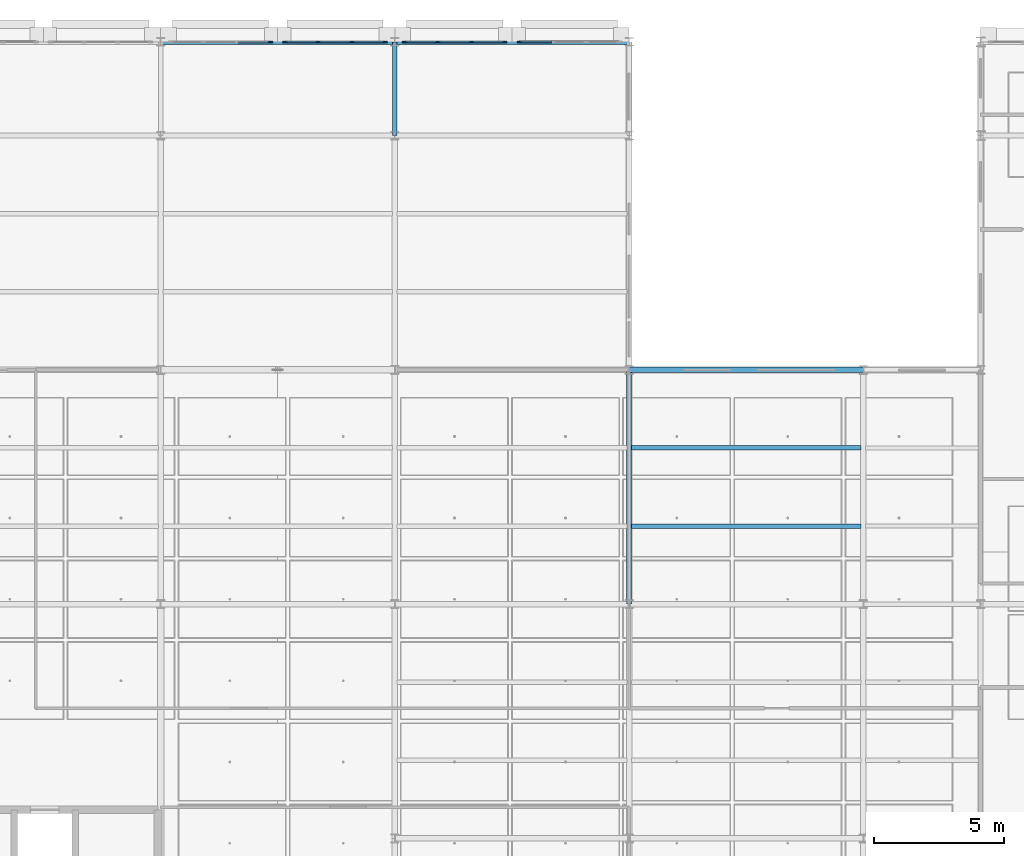
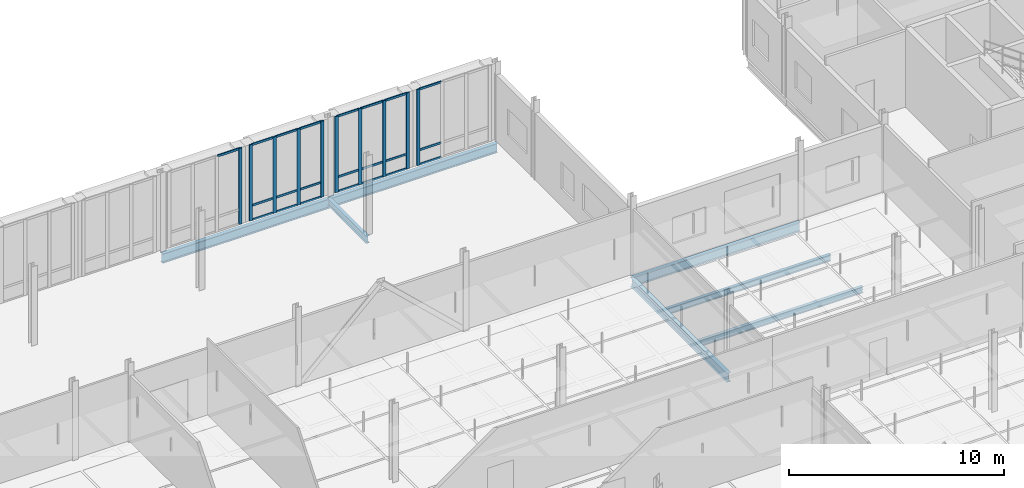
# One storey, part 43 of 130: 32 members, 7 beams, 4 elements without a shape of their own.
"""IFC4 building model written with IfcOpenShell, lengths in metres."""

from ifc_helpers import new_model, si_unit, direction, frame, origin, origin_2d, place, context, subcontext, project, spatial, rectangle, i_section, extrude, material, material_profile, profile_set, type_object, element, aggregate, save


model = new_model("IFC4")

# Units and contexts
model_context = context("Model", 3, precision=1e-05, world=origin(), true_north=direction((0.0, 1.0)))
body_context = subcontext(model_context, "Body", "Model", "MODEL_VIEW")
ifc_project = project(units=[si_unit("LENGTHUNIT", "METRE"), si_unit("AREAUNIT", "SQUARE_METRE"), si_unit("VOLUMEUNIT", "CUBIC_METRE"), si_unit("PLANEANGLEUNIT", "RADIAN"), si_unit("MASSUNIT", "GRAM", prefix="KILO"), si_unit("THERMODYNAMICTEMPERATUREUNIT", "KELVIN"), si_unit("POWERUNIT", "WATT")], contexts=[model_context])

# Site, building, storey
site_placement = place(None, origin())
site = spatial("IfcSite", under=ifc_project, at=site_placement, CompositionType="ELEMENT")
building_placement = place(site_placement, origin())
building = spatial("IfcBuilding", under=site, at=building_placement, Name="Tallowbark Science Centre", CompositionType="ELEMENT")
storey_placement = place(building_placement, frame((0.0, 0.0, 5.39990234375)))
storey = spatial("IfcBuildingStorey", under=building, at=storey_placement, Name="L01", CompositionType="ELEMENT", Elevation=5.39990234375)

# Beams
ifc_material_1 = material(Name="Structural Steel Grade 300PLUS (300 MPa)", Category="steel")
ifc_material_profile_1 = material_profile(ifc_material_1, i_section(OverallWidth=0.177734375, OverallDepth=0.406494140625, WebThickness=0.0078125, FlangeThickness=0.0126953125, FilletRadius=0.011474609375, at=origin_2d()), Name="410UB59.7")
ifc_profile_set_1 = profile_set([ifc_material_profile_1], Name="Structural Steel Grade 300PLUS (300 MPa)")
beam_type_1 = type_object("IfcBeamType", Name="BM-UB410", PredefinedType="BEAM", material=ifc_profile_set_1)
beam_1_placement = place(storey_placement, frame((90.0, 108.0, -0.383056640625), z_axis=(0.0, 1.0, 0.0), x_axis=(-1.0, 0.0, 0.0)))
element("IfcBeam", 1, at=beam_1_placement, inside=storey, type_object=beam_type_1, Name="Primary Girder GRDY-L01-900-1080-1116", PredefinedType="BEAM", context=body_context, shape_type="SweptSolid", body=[
    extrude(i_section(OverallWidth=0.177734375, OverallDepth=0.406494140625, WebThickness=0.0078125, FlangeThickness=0.0126953125, FilletRadius=0.011474609375, at=origin_2d()), origin(), (0.0, 0.0, 1.0), 3.60009765625),
])
ifc_material_profile_2 = material_profile(ifc_material_1, i_section(OverallWidth=0.208984375, OverallDepth=0.532958984375, WebThickness=0.01025390625, FlangeThickness=0.015625, FilletRadius=0.013916015625, at=origin_2d()), Name="530UB92.4")
ifc_profile_set_2 = profile_set([ifc_material_profile_2], Name="Structural Steel Grade 300PLUS (300 MPa)")
beam_type_2 = type_object("IfcBeamType", Name="BM-UB530A", PredefinedType="BEAM", material=ifc_profile_set_2)
beam_2_placement = place(storey_placement, frame((99.0, 99.0, -0.4462890625), z_axis=(1.0, 0.0, 0.0), x_axis=(0.0, 1.0, 0.0)))
element("IfcBeam", 2, at=beam_2_placement, inside=storey, type_object=beam_type_2, Name="Primary Girder GRDX-L01-990-1080-990", PredefinedType="BEAM", context=body_context, shape_type="SweptSolid", body=[
    extrude(i_section(OverallWidth=0.208984375, OverallDepth=0.532958984375, WebThickness=0.01025390625, FlangeThickness=0.015625, FilletRadius=0.013916015625, at=origin_2d()), origin(), (0.0, 0.0, 1.0), 9.0),
])
ifc_material_profile_3 = material_profile(ifc_material_1, i_section(OverallWidth=0.208740234375, OverallDepth=0.5283203125, WebThickness=0.009521484375, FlangeThickness=0.01318359375, FilletRadius=0.013916015625, at=origin_2d()), Name="530UB82.0")
ifc_profile_set_3 = profile_set([ifc_material_profile_3], Name="Structural Steel Grade 300PLUS (300 MPa)")
beam_type_3 = type_object("IfcBeamType", Name="BM-UB530B", PredefinedType="BEAM", material=ifc_profile_set_3)
beam_3_placement = place(storey_placement, frame((99.0, 90.0, -0.444091796875), z_axis=(0.0, 1.0, 0.0), x_axis=(-1.0, 0.0, 0.0)))
element("IfcBeam", 3, at=beam_3_placement, inside=storey, type_object=beam_type_3, Name="Primary Girder GRDY-L01-990-900-990", PredefinedType="BEAM", context=body_context, shape_type="SweptSolid", body=[
    extrude(i_section(OverallWidth=0.208740234375, OverallDepth=0.5283203125, WebThickness=0.009521484375, FlangeThickness=0.01318359375, FilletRadius=0.013916015625, at=origin_2d()), origin(), (0.0, 0.0, 1.0), 9.0),
])

# Curtain wall, members
ifc_material_2 = material(Name="Unitised Thermally Broken Aluminium and Low-E Double Glazing", Category="aluminium")
curtain_wall_type = type_object("IfcCurtainWallType", Name="CW-SYS-FACADE", PredefinedType="NOTDEFINED", material=ifc_material_2)
curtain_wall_1_placement = place(storey_placement, origin())
curtain_wall_1 = element("IfcCurtainWall", 4, at=curtain_wall_1_placement, inside=storey, type_object=curtain_wall_type, Name="Unitised Curtain Wall CAF-N-81A CW-L01-055", PredefinedType="NOTDEFINED")
ifc_material_3 = material(Name="Anodised Architectural Aluminium Alloy 6063-T6", Category="aluminium")
ifc_material_profile_4 = material_profile(ifc_material_3, rectangle(XDim=0.06494140625, YDim=0.179931640625, at=origin_2d()), Name="ALU65x180")
ifc_profile_set_4 = profile_set([ifc_material_profile_4], Name="Anodised Architectural Aluminium Alloy 6063-T6")
member_type_1 = type_object("IfcMemberType", Name="CWM-MUL-220", PredefinedType="MULLION", material=ifc_profile_set_4)
member_1_placement = place(storey_placement, frame((89.617431640625, 111.60009765625, 0.0), z_axis=(0.0, 0.0, 1.0), x_axis=(0.0, -1.0, 0.0)))
member_1 = element("IfcMember", 5, at=member_1_placement, type_object=member_type_1, Name="CW-01 mullion 1", PredefinedType="MULLION", context=body_context, shape_type="SweptSolid", body=[
    extrude(rectangle(XDim=0.06494140625, YDim=0.179931640625, at=origin_2d()), origin(), (0.0, 0.0, 1.0), 4.320068359375),
])
member_2_placement = place(storey_placement, frame((88.35009765625, 111.60009765625, 0.0), z_axis=(0.0, 0.0, 1.0), x_axis=(0.0, -1.0, 0.0)))
member_2 = element("IfcMember", 6, at=member_2_placement, type_object=member_type_1, Name="CW-01 mullion 2", PredefinedType="MULLION", context=body_context, shape_type="SweptSolid", body=[
    extrude(rectangle(XDim=0.06494140625, YDim=0.179931640625, at=origin_2d()), origin(), (0.0, 0.0, 1.0), 4.320068359375),
])
member_3_placement = place(storey_placement, frame((87.050048828125, 111.60009765625, 0.0), z_axis=(0.0, 0.0, 1.0), x_axis=(0.0, -1.0, 0.0)))
member_3 = element("IfcMember", 7, at=member_3_placement, type_object=member_type_1, Name="CW-01 mullion 3", PredefinedType="MULLION", context=body_context, shape_type="SweptSolid", body=[
    extrude(rectangle(XDim=0.06494140625, YDim=0.179931640625, at=origin_2d()), origin(), (0.0, 0.0, 1.0), 4.320068359375),
])
member_4_placement = place(storey_placement, frame((85.782470703125, 111.60009765625, 0.0), z_axis=(0.0, 0.0, 1.0), x_axis=(0.0, -1.0, 0.0)))
member_4 = element("IfcMember", 8, at=member_4_placement, type_object=member_type_1, Name="CW-01 mullion 4", PredefinedType="MULLION", context=body_context, shape_type="SweptSolid", body=[
    extrude(rectangle(XDim=0.06494140625, YDim=0.179931640625, at=origin_2d()), origin(), (0.0, 0.0, 1.0), 4.320068359375),
])

# Curtain wall, member
curtain_wall_2_placement = place(storey_placement, origin())
curtain_wall_2 = element("IfcCurtainWall", 9, at=curtain_wall_2_placement, inside=storey, type_object=curtain_wall_type, Name="Unitised Curtain Wall CAF-N-81B CW-L01-056", PredefinedType="NOTDEFINED")
member_5_placement = place(storey_placement, frame((85.217529296875, 111.60009765625, 0.0), z_axis=(0.0, 0.0, 1.0), x_axis=(0.0, -1.0, 0.0)))
member_5 = element("IfcMember", 10, at=member_5_placement, type_object=member_type_1, Name="CW-01 mullion 1", PredefinedType="MULLION", context=body_context, shape_type="SweptSolid", body=[
    extrude(rectangle(XDim=0.06494140625, YDim=0.179931640625, at=origin_2d()), origin(), (0.0, 0.0, 1.0), 4.320068359375),
])

curtain_wall_3_placement = place(storey_placement, origin())
curtain_wall_3 = element("IfcCurtainWall", 11, at=curtain_wall_3_placement, inside=storey, type_object=curtain_wall_type, Name="Unitised Curtain Wall CAF-N-90A CW-L01-057", PredefinedType="NOTDEFINED")
member_6_placement = place(storey_placement, frame((94.782470703125, 111.60009765625, 0.0), z_axis=(0.0, 0.0, 1.0), x_axis=(0.0, -1.0, 0.0)))
member_6 = element("IfcMember", 12, at=member_6_placement, type_object=member_type_1, Name="CW-01 mullion 4", PredefinedType="MULLION", context=body_context, shape_type="SweptSolid", body=[
    extrude(rectangle(XDim=0.06494140625, YDim=0.179931640625, at=origin_2d()), origin(), (0.0, 0.0, 1.0), 4.320068359375),
])

# Curtain wall, members
curtain_wall_4_placement = place(storey_placement, origin())
curtain_wall_4 = element("IfcCurtainWall", 13, at=curtain_wall_4_placement, inside=storey, type_object=curtain_wall_type, Name="Unitised Curtain Wall CAF-N-90B CW-L01-058", PredefinedType="NOTDEFINED")
member_7_placement = place(storey_placement, frame((94.217529296875, 111.60009765625, 0.0), z_axis=(0.0, 0.0, 1.0), x_axis=(0.0, -1.0, 0.0)))
member_7 = element("IfcMember", 14, at=member_7_placement, type_object=member_type_1, Name="CW-01 mullion 1", PredefinedType="MULLION", context=body_context, shape_type="SweptSolid", body=[
    extrude(rectangle(XDim=0.06494140625, YDim=0.179931640625, at=origin_2d()), origin(), (0.0, 0.0, 1.0), 4.320068359375),
])
member_8_placement = place(storey_placement, frame((92.949951171875, 111.60009765625, 0.0), z_axis=(0.0, 0.0, 1.0), x_axis=(0.0, -1.0, 0.0)))
member_8 = element("IfcMember", 15, at=member_8_placement, type_object=member_type_1, Name="CW-01 mullion 2", PredefinedType="MULLION", context=body_context, shape_type="SweptSolid", body=[
    extrude(rectangle(XDim=0.06494140625, YDim=0.179931640625, at=origin_2d()), origin(), (0.0, 0.0, 1.0), 4.320068359375),
])
member_9_placement = place(storey_placement, frame((91.64990234375, 111.60009765625, 0.0), z_axis=(0.0, 0.0, 1.0), x_axis=(0.0, -1.0, 0.0)))
member_9 = element("IfcMember", 16, at=member_9_placement, type_object=member_type_1, Name="CW-01 mullion 3", PredefinedType="MULLION", context=body_context, shape_type="SweptSolid", body=[
    extrude(rectangle(XDim=0.06494140625, YDim=0.179931640625, at=origin_2d()), origin(), (0.0, 0.0, 1.0), 4.320068359375),
])
member_10_placement = place(storey_placement, frame((90.382568359375, 111.60009765625, 0.0), z_axis=(0.0, 0.0, 1.0), x_axis=(0.0, -1.0, 0.0)))
member_10 = element("IfcMember", 17, at=member_10_placement, type_object=member_type_1, Name="CW-01 mullion 4", PredefinedType="MULLION", context=body_context, shape_type="SweptSolid", body=[
    extrude(rectangle(XDim=0.06494140625, YDim=0.179931640625, at=origin_2d()), origin(), (0.0, 0.0, 1.0), 4.320068359375),
])

# Member
ifc_material_profile_5 = material_profile(ifc_material_3, rectangle(XDim=0.054931640625, YDim=0.1201171875, at=origin_2d()), Name="ALU55x120")
ifc_profile_set_5 = profile_set([ifc_material_profile_5], Name="Anodised Architectural Aluminium Alloy 6063-T6")
member_type_2 = type_object("IfcMemberType", Name="CWM-TRN-150", PredefinedType="USERDEFINED", material=ifc_profile_set_5)
member_11_placement = place(storey_placement, frame((89.5849609375, 111.60009765625, 0.027587890625), z_axis=(-1.0, 0.0, 0.0), x_axis=(0.0, -1.0, 0.0)))
member_11 = element("IfcMember", 18, at=member_11_placement, type_object=member_type_2, Name="CW-01 transom 1.1", ObjectType="TRANSOM", PredefinedType="USERDEFINED", context=body_context, shape_type="SweptSolid", body=[
    extrude(rectangle(XDim=0.054931640625, YDim=0.1201171875, at=origin_2d()), origin(), (0.0, 0.0, 1.0), 1.202392578125),
])

member_12_placement = place(storey_placement, frame((89.5849609375, 111.60009765625, 0.85009765625), z_axis=(-1.0, 0.0, 0.0), x_axis=(0.0, -1.0, 0.0)))
member_12 = element("IfcMember", 19, at=member_12_placement, type_object=member_type_2, Name="CW-01 transom 1.2", ObjectType="TRANSOM", PredefinedType="USERDEFINED", context=body_context, shape_type="SweptSolid", body=[
    extrude(rectangle(XDim=0.054931640625, YDim=0.1201171875, at=origin_2d()), origin(), (0.0, 0.0, 1.0), 1.202392578125),
])

member_13_placement = place(storey_placement, frame((89.5849609375, 111.60009765625, 4.29248046875), z_axis=(-1.0, 0.0, 0.0), x_axis=(0.0, -1.0, 0.0)))
member_13 = element("IfcMember", 20, at=member_13_placement, type_object=member_type_2, Name="CW-01 transom 1.3", ObjectType="TRANSOM", PredefinedType="USERDEFINED", context=body_context, shape_type="SweptSolid", body=[
    extrude(rectangle(XDim=0.054931640625, YDim=0.1201171875, at=origin_2d()), origin(), (0.0, 0.0, 1.0), 1.202392578125),
])

member_14_placement = place(storey_placement, frame((88.3173828125, 111.60009765625, 0.027587890625), z_axis=(-1.0, 0.0, 0.0), x_axis=(0.0, -1.0, 0.0)))
member_14 = element("IfcMember", 21, at=member_14_placement, type_object=member_type_2, Name="CW-01 transom 2.1", ObjectType="TRANSOM", PredefinedType="USERDEFINED", context=body_context, shape_type="SweptSolid", body=[
    extrude(rectangle(XDim=0.054931640625, YDim=0.1201171875, at=origin_2d()), origin(), (0.0, 0.0, 1.0), 1.23486328125),
])

member_15_placement = place(storey_placement, frame((88.3173828125, 111.60009765625, 0.85009765625), z_axis=(-1.0, 0.0, 0.0), x_axis=(0.0, -1.0, 0.0)))
member_15 = element("IfcMember", 22, at=member_15_placement, type_object=member_type_2, Name="CW-01 transom 2.2", ObjectType="TRANSOM", PredefinedType="USERDEFINED", context=body_context, shape_type="SweptSolid", body=[
    extrude(rectangle(XDim=0.054931640625, YDim=0.1201171875, at=origin_2d()), origin(), (0.0, 0.0, 1.0), 1.23486328125),
])

member_16_placement = place(storey_placement, frame((88.3173828125, 111.60009765625, 4.29248046875), z_axis=(-1.0, 0.0, 0.0), x_axis=(0.0, -1.0, 0.0)))
member_16 = element("IfcMember", 23, at=member_16_placement, type_object=member_type_2, Name="CW-01 transom 2.3", ObjectType="TRANSOM", PredefinedType="USERDEFINED", context=body_context, shape_type="SweptSolid", body=[
    extrude(rectangle(XDim=0.054931640625, YDim=0.1201171875, at=origin_2d()), origin(), (0.0, 0.0, 1.0), 1.23486328125),
])

member_17_placement = place(storey_placement, frame((87.017578125, 111.60009765625, 0.027587890625), z_axis=(-1.0, 0.0, 0.0), x_axis=(0.0, -1.0, 0.0)))
member_17 = element("IfcMember", 24, at=member_17_placement, type_object=member_type_2, Name="CW-01 transom 3.1", ObjectType="TRANSOM", PredefinedType="USERDEFINED", context=body_context, shape_type="SweptSolid", body=[
    extrude(rectangle(XDim=0.054931640625, YDim=0.1201171875, at=origin_2d()), origin(), (0.0, 0.0, 1.0), 1.20263671875),
])

member_18_placement = place(storey_placement, frame((87.017578125, 111.60009765625, 0.85009765625), z_axis=(-1.0, 0.0, 0.0), x_axis=(0.0, -1.0, 0.0)))
member_18 = element("IfcMember", 25, at=member_18_placement, type_object=member_type_2, Name="CW-01 transom 3.2", ObjectType="TRANSOM", PredefinedType="USERDEFINED", context=body_context, shape_type="SweptSolid", body=[
    extrude(rectangle(XDim=0.054931640625, YDim=0.1201171875, at=origin_2d()), origin(), (0.0, 0.0, 1.0), 1.20263671875),
])

member_19_placement = place(storey_placement, frame((87.017578125, 111.60009765625, 4.29248046875), z_axis=(-1.0, 0.0, 0.0), x_axis=(0.0, -1.0, 0.0)))
member_19 = element("IfcMember", 26, at=member_19_placement, type_object=member_type_2, Name="CW-01 transom 3.3", ObjectType="TRANSOM", PredefinedType="USERDEFINED", context=body_context, shape_type="SweptSolid", body=[
    extrude(rectangle(XDim=0.054931640625, YDim=0.1201171875, at=origin_2d()), origin(), (0.0, 0.0, 1.0), 1.20263671875),
])

aggregate(curtain_wall_1, [member_1, member_2, member_3, member_4, member_11, member_12, member_13, member_14, member_15, member_16, member_17, member_18, member_19])

member_20_placement = place(storey_placement, frame((85.18505859375, 111.60009765625, 4.29248046875), z_axis=(-1.0, 0.0, 0.0), x_axis=(0.0, -1.0, 0.0)))
member_20 = element("IfcMember", 27, at=member_20_placement, type_object=member_type_2, Name="CW-01 transom 1.3", ObjectType="TRANSOM", PredefinedType="USERDEFINED", context=body_context, shape_type="SweptSolid", body=[
    extrude(rectangle(XDim=0.054931640625, YDim=0.1201171875, at=origin_2d()), origin(), (0.0, 0.0, 1.0), 1.20263671875),
])

aggregate(curtain_wall_2, [member_5, member_20])

member_21_placement = place(storey_placement, frame((96.017578125, 111.60009765625, 0.027587890625), z_axis=(-1.0, 0.0, 0.0), x_axis=(0.0, -1.0, 0.0)))
member_21 = element("IfcMember", 28, at=member_21_placement, type_object=member_type_2, Name="CW-01 transom 3.1", ObjectType="TRANSOM", PredefinedType="USERDEFINED", context=body_context, shape_type="SweptSolid", body=[
    extrude(rectangle(XDim=0.054931640625, YDim=0.1201171875, at=origin_2d()), origin(), (0.0, 0.0, 1.0), 1.20263671875),
])

member_22_placement = place(storey_placement, frame((96.017578125, 111.60009765625, 0.85009765625), z_axis=(-1.0, 0.0, 0.0), x_axis=(0.0, -1.0, 0.0)))
member_22 = element("IfcMember", 29, at=member_22_placement, type_object=member_type_2, Name="CW-01 transom 3.2", ObjectType="TRANSOM", PredefinedType="USERDEFINED", context=body_context, shape_type="SweptSolid", body=[
    extrude(rectangle(XDim=0.054931640625, YDim=0.1201171875, at=origin_2d()), origin(), (0.0, 0.0, 1.0), 1.20263671875),
])

member_23_placement = place(storey_placement, frame((96.017578125, 111.60009765625, 4.29248046875), z_axis=(-1.0, 0.0, 0.0), x_axis=(0.0, -1.0, 0.0)))
member_23 = element("IfcMember", 30, at=member_23_placement, type_object=member_type_2, Name="CW-01 transom 3.3", ObjectType="TRANSOM", PredefinedType="USERDEFINED", context=body_context, shape_type="SweptSolid", body=[
    extrude(rectangle(XDim=0.054931640625, YDim=0.1201171875, at=origin_2d()), origin(), (0.0, 0.0, 1.0), 1.20263671875),
])

aggregate(curtain_wall_3, [member_6, member_21, member_22, member_23])

member_24_placement = place(storey_placement, frame((94.18505859375, 111.60009765625, 0.027587890625), z_axis=(-1.0, 0.0, 0.0), x_axis=(0.0, -1.0, 0.0)))
member_24 = element("IfcMember", 31, at=member_24_placement, type_object=member_type_2, Name="CW-01 transom 1.1", ObjectType="TRANSOM", PredefinedType="USERDEFINED", context=body_context, shape_type="SweptSolid", body=[
    extrude(rectangle(XDim=0.054931640625, YDim=0.1201171875, at=origin_2d()), origin(), (0.0, 0.0, 1.0), 1.20263671875),
])

member_25_placement = place(storey_placement, frame((94.18505859375, 111.60009765625, 0.85009765625), z_axis=(-1.0, 0.0, 0.0), x_axis=(0.0, -1.0, 0.0)))
member_25 = element("IfcMember", 32, at=member_25_placement, type_object=member_type_2, Name="CW-01 transom 1.2", ObjectType="TRANSOM", PredefinedType="USERDEFINED", context=body_context, shape_type="SweptSolid", body=[
    extrude(rectangle(XDim=0.054931640625, YDim=0.1201171875, at=origin_2d()), origin(), (0.0, 0.0, 1.0), 1.20263671875),
])

member_26_placement = place(storey_placement, frame((94.18505859375, 111.60009765625, 4.29248046875), z_axis=(-1.0, 0.0, 0.0), x_axis=(0.0, -1.0, 0.0)))
member_26 = element("IfcMember", 33, at=member_26_placement, type_object=member_type_2, Name="CW-01 transom 1.3", ObjectType="TRANSOM", PredefinedType="USERDEFINED", context=body_context, shape_type="SweptSolid", body=[
    extrude(rectangle(XDim=0.054931640625, YDim=0.1201171875, at=origin_2d()), origin(), (0.0, 0.0, 1.0), 1.20263671875),
])

member_27_placement = place(storey_placement, frame((92.91748046875, 111.60009765625, 0.027587890625), z_axis=(-1.0, 0.0, 0.0), x_axis=(0.0, -1.0, 0.0)))
member_27 = element("IfcMember", 34, at=member_27_placement, type_object=member_type_2, Name="CW-01 transom 2.1", ObjectType="TRANSOM", PredefinedType="USERDEFINED", context=body_context, shape_type="SweptSolid", body=[
    extrude(rectangle(XDim=0.054931640625, YDim=0.1201171875, at=origin_2d()), origin(), (0.0, 0.0, 1.0), 1.23486328125),
])

member_28_placement = place(storey_placement, frame((92.91748046875, 111.60009765625, 0.85009765625), z_axis=(-1.0, 0.0, 0.0), x_axis=(0.0, -1.0, 0.0)))
member_28 = element("IfcMember", 35, at=member_28_placement, type_object=member_type_2, Name="CW-01 transom 2.2", ObjectType="TRANSOM", PredefinedType="USERDEFINED", context=body_context, shape_type="SweptSolid", body=[
    extrude(rectangle(XDim=0.054931640625, YDim=0.1201171875, at=origin_2d()), origin(), (0.0, 0.0, 1.0), 1.23486328125),
])

member_29_placement = place(storey_placement, frame((92.91748046875, 111.60009765625, 4.29248046875), z_axis=(-1.0, 0.0, 0.0), x_axis=(0.0, -1.0, 0.0)))
member_29 = element("IfcMember", 36, at=member_29_placement, type_object=member_type_2, Name="CW-01 transom 2.3", ObjectType="TRANSOM", PredefinedType="USERDEFINED", context=body_context, shape_type="SweptSolid", body=[
    extrude(rectangle(XDim=0.054931640625, YDim=0.1201171875, at=origin_2d()), origin(), (0.0, 0.0, 1.0), 1.23486328125),
])

member_30_placement = place(storey_placement, frame((91.617431640625, 111.60009765625, 0.027587890625), z_axis=(-1.0, 0.0, 0.0), x_axis=(0.0, -1.0, 0.0)))
member_30 = element("IfcMember", 37, at=member_30_placement, type_object=member_type_2, Name="CW-01 transom 3.1", ObjectType="TRANSOM", PredefinedType="USERDEFINED", context=body_context, shape_type="SweptSolid", body=[
    extrude(rectangle(XDim=0.054931640625, YDim=0.1201171875, at=origin_2d()), origin(), (0.0, 0.0, 1.0), 1.202392578125),
])

member_31_placement = place(storey_placement, frame((91.617431640625, 111.60009765625, 0.85009765625), z_axis=(-1.0, 0.0, 0.0), x_axis=(0.0, -1.0, 0.0)))
member_31 = element("IfcMember", 38, at=member_31_placement, type_object=member_type_2, Name="CW-01 transom 3.2", ObjectType="TRANSOM", PredefinedType="USERDEFINED", context=body_context, shape_type="SweptSolid", body=[
    extrude(rectangle(XDim=0.054931640625, YDim=0.1201171875, at=origin_2d()), origin(), (0.0, 0.0, 1.0), 1.202392578125),
])

member_32_placement = place(storey_placement, frame((91.617431640625, 111.60009765625, 4.29248046875), z_axis=(-1.0, 0.0, 0.0), x_axis=(0.0, -1.0, 0.0)))
member_32 = element("IfcMember", 39, at=member_32_placement, type_object=member_type_2, Name="CW-01 transom 3.3", ObjectType="TRANSOM", PredefinedType="USERDEFINED", context=body_context, shape_type="SweptSolid", body=[
    extrude(rectangle(XDim=0.054931640625, YDim=0.1201171875, at=origin_2d()), origin(), (0.0, 0.0, 1.0), 1.202392578125),
])

aggregate(curtain_wall_4, [member_7, member_8, member_9, member_10, member_24, member_25, member_26, member_27, member_28, member_29, member_30, member_31, member_32])

# Beams
ifc_material_profile_6 = material_profile(ifc_material_1, i_section(OverallWidth=0.172119140625, OverallDepth=0.358642578125, WebThickness=0.008056640625, FlangeThickness=0.012939453125, FilletRadius=0.011474609375, at=origin_2d()), Name="360UB56.7")
ifc_profile_set_6 = profile_set([ifc_material_profile_6], Name="Structural Steel Grade 300PLUS (300 MPa)")
beam_type_4 = type_object("IfcBeamType", Name="JST-UB360", PredefinedType="JOIST", material=ifc_profile_set_6)
for number, where, z_axis, x_axis, name in (
    (40, (99.0849609375, 93.0, -0.359130859375), (1.0, 0.0, 0.0), (0.0, 1.0, 0.0), "Composite Floor Joist JSTX-L01-990-930"),
    (41, (99.0849609375, 96.0, -0.359130859375), (1.0, 0.0, 0.0), (0.0, 1.0, 0.0), "Composite Floor Joist JSTX-L01-990-960"),
):
    element("IfcBeam", number, at=place(storey_placement, frame(where, z_axis=z_axis, x_axis=x_axis)), inside=storey, type_object=beam_type_4, Name=name, PredefinedType="JOIST", context=body_context, shape_type="SweptSolid", body=[
        extrude(i_section(OverallWidth=0.172119140625, OverallDepth=0.358642578125, WebThickness=0.008056640625, FlangeThickness=0.012939453125, FilletRadius=0.011474609375, at=origin_2d()), origin(), (0.0, 0.0, 1.0), 8.830078125),
    ])
ifc_material_profile_7 = material_profile(ifc_material_1, i_section(OverallWidth=0.208984375, OverallDepth=0.532958984375, WebThickness=0.01025390625, FlangeThickness=0.015625, FilletRadius=0.013916015625, at=origin_2d()), Name="530UB92.4")
ifc_profile_set_7 = profile_set([ifc_material_profile_7], Name="Structural Steel Grade 300PLUS (300 MPa)")
beam_type_5 = type_object("IfcBeamType", Name="LNT-UB530", PredefinedType="LINTEL", material=ifc_profile_set_7)
for number, where, z_axis, x_axis, name in (
    (42, (81.0, 111.60009765625, -0.4462890625), (1.0, 0.0, 0.0), (0.0, 1.0, 0.0), "Primary Girder GRDX-L01-810-900-1116"),
    (43, (90.0, 111.60009765625, -0.4462890625), (1.0, 0.0, 0.0), (0.0, 1.0, 0.0), "Primary Girder GRDX-L01-900-990-1116"),
):
    element("IfcBeam", number, at=place(storey_placement, frame(where, z_axis=z_axis, x_axis=x_axis)), inside=storey, type_object=beam_type_5, Name=name, PredefinedType="LINTEL", context=body_context, shape_type="SweptSolid", body=[
        extrude(i_section(OverallWidth=0.208984375, OverallDepth=0.532958984375, WebThickness=0.01025390625, FlangeThickness=0.015625, FilletRadius=0.013916015625, at=origin_2d()), origin(), (0.0, 0.0, 1.0), 9.0),
    ])

save(model, "model.ifc")
